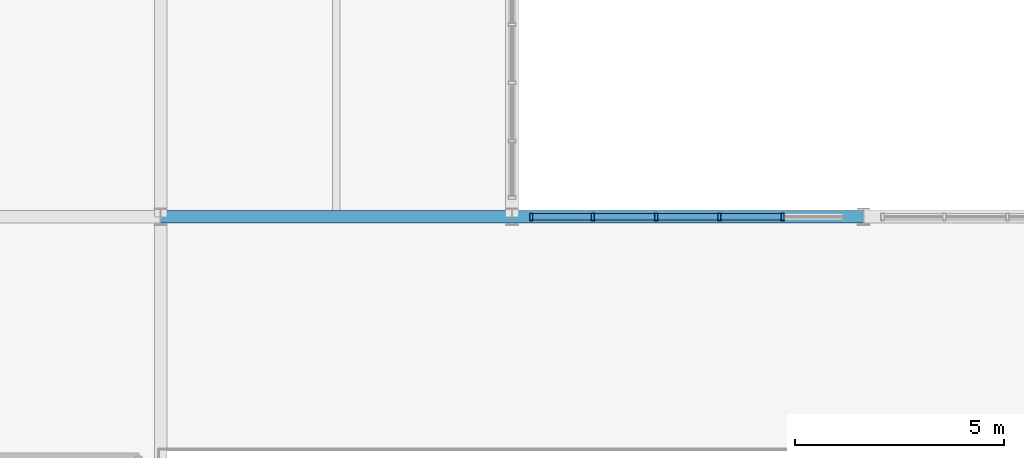
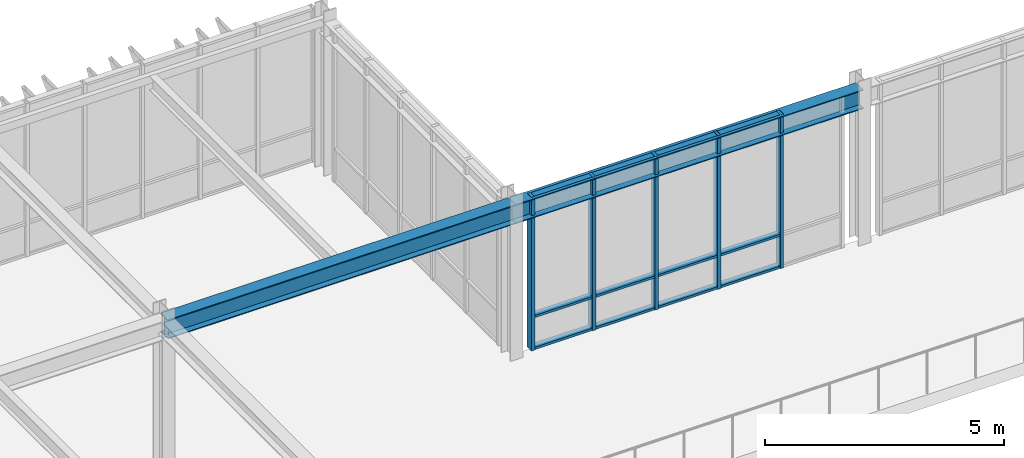
# One storey, part 46 of 127: 17 members, 2 beams, 1 element without a shape of its own.
"""IFC4 building model written with IfcOpenShell, lengths in metres."""

from ifc_helpers import new_model, si_unit, direction, frame, origin, origin_2d, place, context, subcontext, project, spatial, hollow_rectangle, i_section, extrude, material, layer, layer_set, material_profile, profile_set, type_object, element, aggregate, save


model = new_model("IFC4")

# Units and contexts
model_context = context("Model", 3, precision=1e-05, world=origin(), true_north=direction((0.0, 1.0)))
body_context = subcontext(model_context, "Body", "Model", "MODEL_VIEW")
ifc_project = project(units=[si_unit("LENGTHUNIT", "METRE"), si_unit("AREAUNIT", "SQUARE_METRE"), si_unit("VOLUMEUNIT", "CUBIC_METRE"), si_unit("PLANEANGLEUNIT", "RADIAN"), si_unit("MASSUNIT", "GRAM", prefix="KILO")], contexts=[model_context])

# Site, building, storey
site_placement = place(None, origin())
site = spatial("IfcSite", under=ifc_project, at=site_placement, CompositionType="ELEMENT")
building_placement = place(site_placement, origin())
building = spatial("IfcBuilding", under=site, at=building_placement, Name="Zayran Congress Hotel", CompositionType="ELEMENT")
storey_placement = place(building_placement, frame((0.0, 0.0, 10.800048828125)))
storey = spatial("IfcBuildingStorey", under=building, at=storey_placement, Name="L02", CompositionType="ELEMENT", Elevation=10.800048828125)

# Beams
ifc_material_1 = material(Name="Steel S355", Category="steel")
ifc_material_profile_1 = material_profile(ifc_material_1, i_section(OverallWidth=0.300048828125, OverallDepth=0.489990234375, WebThickness=0.011962890625, FlangeThickness=0.02294921875, at=origin_2d()), Name="HEA 500")
ifc_profile_set_1 = profile_set([ifc_material_profile_1], Name="Steel S355")
beam_type = type_object("IfcBeamType", Name="TP-BM-05", PredefinedType="BEAM", material=ifc_profile_set_1)
beam_1_placement = place(storey_placement, frame((25.199951171875, 109.60009765625, 3.675048828125), z_axis=(1.0, 0.0, 0.0), x_axis=(0.0, 1.0, 0.0)))
element("IfcBeam", 1, at=beam_1_placement, inside=storey, type_object=beam_type, Name="BM-V1-L02-0692", PredefinedType="BEAM", context=body_context, shape_type="SweptSolid", body=[
    extrude(i_section(OverallWidth=0.300048828125, OverallDepth=0.489990234375, WebThickness=0.011962890625, FlangeThickness=0.02294921875, at=origin_2d()), origin(), (0.0, 0.0, 1.0), 8.400146484375),
])
beam_2_placement = place(storey_placement, frame((33.60009765625, 109.60009765625, 3.675048828125), z_axis=(1.0, 0.0, 0.0), x_axis=(0.0, 1.0, 0.0)))
element("IfcBeam", 2, at=beam_2_placement, inside=storey, type_object=beam_type, Name="BM-V1-L02-0693", PredefinedType="BEAM", context=body_context, shape_type="SweptSolid", body=[
    extrude(i_section(OverallWidth=0.300048828125, OverallDepth=0.489990234375, WebThickness=0.011962890625, FlangeThickness=0.02294921875, at=origin_2d()), origin(), (0.0, 0.0, 1.0), 8.39990234375),
])

# Curtain wall, members
ifc_material_2 = material(Name="Anodised aluminium and low-E insulated glass", Category="aluminium")
ifc_layer = layer(ifc_material_2, 0.179931640625)
ifc_layer_set = layer_set([ifc_layer], Name="Anodised aluminium and low-E insulated glass")
curtain_wall_type = type_object("IfcCurtainWallType", Name="CW-V1NF-L02-CW-21-7560-3920", PredefinedType="USERDEFINED", material=ifc_layer_set)
curtain_wall_placement = place(storey_placement, origin())
curtain_wall = element("IfcCurtainWall", 3, at=curtain_wall_placement, inside=storey, type_object=curtain_wall_type, Name="CW-V1NF-L02-3", ObjectType="CURTAIN WALL", PredefinedType="USERDEFINED")
ifc_material_3 = material(Name="Anodised aluminium framing", Category="aluminium")
ifc_material_profile_2 = material_profile(ifc_material_3, hollow_rectangle(XDim=0.080078125, YDim=0.179931640625, WallThickness=0.0048828125, at=origin_2d()), Name="RHS 180x80x5")
ifc_profile_set_2 = profile_set([ifc_material_profile_2], Name="Anodised aluminium framing")
member_type_1 = type_object("IfcMemberType", Name="TP-CWM-01", PredefinedType="MULLION", material=ifc_profile_set_2)
member_1_placement = place(storey_placement, frame((40.068115234375, 109.60009765625, 0.0), z_axis=(0.0, 0.0, 1.0), x_axis=(1.0, 0.0, 0.0)))
member_1 = element("IfcMember", 4, at=member_1_placement, type_object=member_type_1, Name="CW-V1NF-L02-3-M01", PredefinedType="MULLION", context=body_context, shape_type="SweptSolid", body=[
    extrude(hollow_rectangle(XDim=0.080078125, YDim=0.179931640625, WallThickness=0.0048828125, at=origin_2d()), origin(), (0.0, 0.0, 1.0), 3.919921875),
])
member_2_placement = place(storey_placement, frame((38.555908203125, 109.60009765625, 0.0), z_axis=(0.0, 0.0, 1.0), x_axis=(1.0, 0.0, 0.0)))
member_2 = element("IfcMember", 5, at=member_2_placement, type_object=member_type_1, Name="CW-V1NF-L02-3-M02", PredefinedType="MULLION", context=body_context, shape_type="SweptSolid", body=[
    extrude(hollow_rectangle(XDim=0.080078125, YDim=0.179931640625, WallThickness=0.0048828125, at=origin_2d()), origin(), (0.0, 0.0, 1.0), 3.919921875),
])
member_3_placement = place(storey_placement, frame((37.0439453125, 109.60009765625, 0.0), z_axis=(0.0, 0.0, 1.0), x_axis=(1.0, 0.0, 0.0)))
member_3 = element("IfcMember", 6, at=member_3_placement, type_object=member_type_1, Name="CW-V1NF-L02-3-M03", PredefinedType="MULLION", context=body_context, shape_type="SweptSolid", body=[
    extrude(hollow_rectangle(XDim=0.080078125, YDim=0.179931640625, WallThickness=0.0048828125, at=origin_2d()), origin(), (0.0, 0.0, 1.0), 3.919921875),
])
member_4_placement = place(storey_placement, frame((35.531982421875, 109.60009765625, 0.0), z_axis=(0.0, 0.0, 1.0), x_axis=(1.0, 0.0, 0.0)))
member_4 = element("IfcMember", 7, at=member_4_placement, type_object=member_type_1, Name="CW-V1NF-L02-3-M04", PredefinedType="MULLION", context=body_context, shape_type="SweptSolid", body=[
    extrude(hollow_rectangle(XDim=0.080078125, YDim=0.179931640625, WallThickness=0.0048828125, at=origin_2d()), origin(), (0.0, 0.0, 1.0), 3.919921875),
])
member_5_placement = place(storey_placement, frame((34.06005859375, 109.60009765625, 0.0), z_axis=(0.0, 0.0, 1.0), x_axis=(1.0, 0.0, 0.0)))
member_5 = element("IfcMember", 8, at=member_5_placement, type_object=member_type_1, Name="CW-V1NF-L02-3-M05", PredefinedType="MULLION", context=body_context, shape_type="SweptSolid", body=[
    extrude(hollow_rectangle(XDim=0.080078125, YDim=0.179931640625, WallThickness=0.0048828125, at=origin_2d()), origin(), (0.0, 0.0, 1.0), 3.919921875),
])
ifc_material_profile_3 = material_profile(ifc_material_3, hollow_rectangle(XDim=0.06005859375, YDim=0.14990234375, WallThickness=0.00390625, at=origin_2d()), Name="RHS 150x60x4")
ifc_profile_set_3 = profile_set([ifc_material_profile_3], Name="Anodised aluminium framing")
member_type_2 = type_object("IfcMemberType", Name="TP-CWT-01", PredefinedType="USERDEFINED", material=ifc_profile_set_3)
member_6_placement = place(storey_placement, frame((40.028076171875, 109.60009765625, 0.030029296875), z_axis=(-1.0, 0.0, 0.0), x_axis=(0.0, 0.0, 1.0)))
member_6 = element("IfcMember", 9, at=member_6_placement, type_object=member_type_2, Name="CW-V1NF-L02-3-T01-0", ObjectType="TRANSOM", PredefinedType="USERDEFINED", context=body_context, shape_type="SweptSolid", body=[
    extrude(hollow_rectangle(XDim=0.06005859375, YDim=0.14990234375, WallThickness=0.00390625, at=origin_2d()), origin(), (0.0, 0.0, 1.0), 1.43212890625),
])
member_7_placement = place(storey_placement, frame((40.028076171875, 109.60009765625, 0.83984375), z_axis=(-1.0, 0.0, 0.0), x_axis=(0.0, 0.0, 1.0)))
member_7 = element("IfcMember", 10, at=member_7_placement, type_object=member_type_2, Name="CW-V1NF-L02-3-T01-1", ObjectType="TRANSOM", PredefinedType="USERDEFINED", context=body_context, shape_type="SweptSolid", body=[
    extrude(hollow_rectangle(XDim=0.06005859375, YDim=0.14990234375, WallThickness=0.00390625, at=origin_2d()), origin(), (0.0, 0.0, 1.0), 1.43212890625),
])
member_8_placement = place(storey_placement, frame((40.028076171875, 109.60009765625, 3.889892578125), z_axis=(-1.0, 0.0, 0.0), x_axis=(0.0, 0.0, 1.0)))
member_8 = element("IfcMember", 11, at=member_8_placement, type_object=member_type_2, Name="CW-V1NF-L02-3-T01-2", ObjectType="TRANSOM", PredefinedType="USERDEFINED", context=body_context, shape_type="SweptSolid", body=[
    extrude(hollow_rectangle(XDim=0.06005859375, YDim=0.14990234375, WallThickness=0.00390625, at=origin_2d()), origin(), (0.0, 0.0, 1.0), 1.43212890625),
])
member_9_placement = place(storey_placement, frame((38.51611328125, 109.60009765625, 0.030029296875), z_axis=(-1.0, 0.0, 0.0), x_axis=(0.0, 0.0, 1.0)))
member_9 = element("IfcMember", 12, at=member_9_placement, type_object=member_type_2, Name="CW-V1NF-L02-3-T02-0", ObjectType="TRANSOM", PredefinedType="USERDEFINED", context=body_context, shape_type="SweptSolid", body=[
    extrude(hollow_rectangle(XDim=0.06005859375, YDim=0.14990234375, WallThickness=0.00390625, at=origin_2d()), origin(), (0.0, 0.0, 1.0), 1.43212890625),
])
member_10_placement = place(storey_placement, frame((38.51611328125, 109.60009765625, 0.83984375), z_axis=(-1.0, 0.0, 0.0), x_axis=(0.0, 0.0, 1.0)))
member_10 = element("IfcMember", 13, at=member_10_placement, type_object=member_type_2, Name="CW-V1NF-L02-3-T02-1", ObjectType="TRANSOM", PredefinedType="USERDEFINED", context=body_context, shape_type="SweptSolid", body=[
    extrude(hollow_rectangle(XDim=0.06005859375, YDim=0.14990234375, WallThickness=0.00390625, at=origin_2d()), origin(), (0.0, 0.0, 1.0), 1.43212890625),
])
member_11_placement = place(storey_placement, frame((38.51611328125, 109.60009765625, 3.889892578125), z_axis=(-1.0, 0.0, 0.0), x_axis=(0.0, 0.0, 1.0)))
member_11 = element("IfcMember", 14, at=member_11_placement, type_object=member_type_2, Name="CW-V1NF-L02-3-T02-2", ObjectType="TRANSOM", PredefinedType="USERDEFINED", context=body_context, shape_type="SweptSolid", body=[
    extrude(hollow_rectangle(XDim=0.06005859375, YDim=0.14990234375, WallThickness=0.00390625, at=origin_2d()), origin(), (0.0, 0.0, 1.0), 1.43212890625),
])
member_12_placement = place(storey_placement, frame((37.00390625, 109.60009765625, 0.030029296875), z_axis=(-1.0, 0.0, 0.0), x_axis=(0.0, 0.0, 1.0)))
member_12 = element("IfcMember", 15, at=member_12_placement, type_object=member_type_2, Name="CW-V1NF-L02-3-T03-0", ObjectType="TRANSOM", PredefinedType="USERDEFINED", context=body_context, shape_type="SweptSolid", body=[
    extrude(hollow_rectangle(XDim=0.06005859375, YDim=0.14990234375, WallThickness=0.00390625, at=origin_2d()), origin(), (0.0, 0.0, 1.0), 1.431884765625),
])
member_13_placement = place(storey_placement, frame((37.00390625, 109.60009765625, 0.83984375), z_axis=(-1.0, 0.0, 0.0), x_axis=(0.0, 0.0, 1.0)))
member_13 = element("IfcMember", 16, at=member_13_placement, type_object=member_type_2, Name="CW-V1NF-L02-3-T03-1", ObjectType="TRANSOM", PredefinedType="USERDEFINED", context=body_context, shape_type="SweptSolid", body=[
    extrude(hollow_rectangle(XDim=0.06005859375, YDim=0.14990234375, WallThickness=0.00390625, at=origin_2d()), origin(), (0.0, 0.0, 1.0), 1.431884765625),
])
member_14_placement = place(storey_placement, frame((37.00390625, 109.60009765625, 3.889892578125), z_axis=(-1.0, 0.0, 0.0), x_axis=(0.0, 0.0, 1.0)))
member_14 = element("IfcMember", 17, at=member_14_placement, type_object=member_type_2, Name="CW-V1NF-L02-3-T03-2", ObjectType="TRANSOM", PredefinedType="USERDEFINED", context=body_context, shape_type="SweptSolid", body=[
    extrude(hollow_rectangle(XDim=0.06005859375, YDim=0.14990234375, WallThickness=0.00390625, at=origin_2d()), origin(), (0.0, 0.0, 1.0), 1.431884765625),
])
member_15_placement = place(storey_placement, frame((35.491943359375, 109.60009765625, 0.030029296875), z_axis=(-1.0, 0.0, 0.0), x_axis=(0.0, 0.0, 1.0)))
member_15 = element("IfcMember", 18, at=member_15_placement, type_object=member_type_2, Name="CW-V1NF-L02-3-T04-0", ObjectType="TRANSOM", PredefinedType="USERDEFINED", context=body_context, shape_type="SweptSolid", body=[
    extrude(hollow_rectangle(XDim=0.06005859375, YDim=0.14990234375, WallThickness=0.00390625, at=origin_2d()), origin(), (0.0, 0.0, 1.0), 1.391845703125),
])
member_16_placement = place(storey_placement, frame((35.491943359375, 109.60009765625, 0.83984375), z_axis=(-1.0, 0.0, 0.0), x_axis=(0.0, 0.0, 1.0)))
member_16 = element("IfcMember", 19, at=member_16_placement, type_object=member_type_2, Name="CW-V1NF-L02-3-T04-1", ObjectType="TRANSOM", PredefinedType="USERDEFINED", context=body_context, shape_type="SweptSolid", body=[
    extrude(hollow_rectangle(XDim=0.06005859375, YDim=0.14990234375, WallThickness=0.00390625, at=origin_2d()), origin(), (0.0, 0.0, 1.0), 1.391845703125),
])
member_17_placement = place(storey_placement, frame((35.491943359375, 109.60009765625, 3.889892578125), z_axis=(-1.0, 0.0, 0.0), x_axis=(0.0, 0.0, 1.0)))
member_17 = element("IfcMember", 20, at=member_17_placement, type_object=member_type_2, Name="CW-V1NF-L02-3-T04-2", ObjectType="TRANSOM", PredefinedType="USERDEFINED", context=body_context, shape_type="SweptSolid", body=[
    extrude(hollow_rectangle(XDim=0.06005859375, YDim=0.14990234375, WallThickness=0.00390625, at=origin_2d()), origin(), (0.0, 0.0, 1.0), 1.391845703125),
])
aggregate(curtain_wall, [member_1, member_2, member_3, member_4, member_5, member_6, member_7, member_8, member_9, member_10, member_11, member_12, member_13, member_14, member_15, member_16, member_17])

save(model, "model.ifc")
